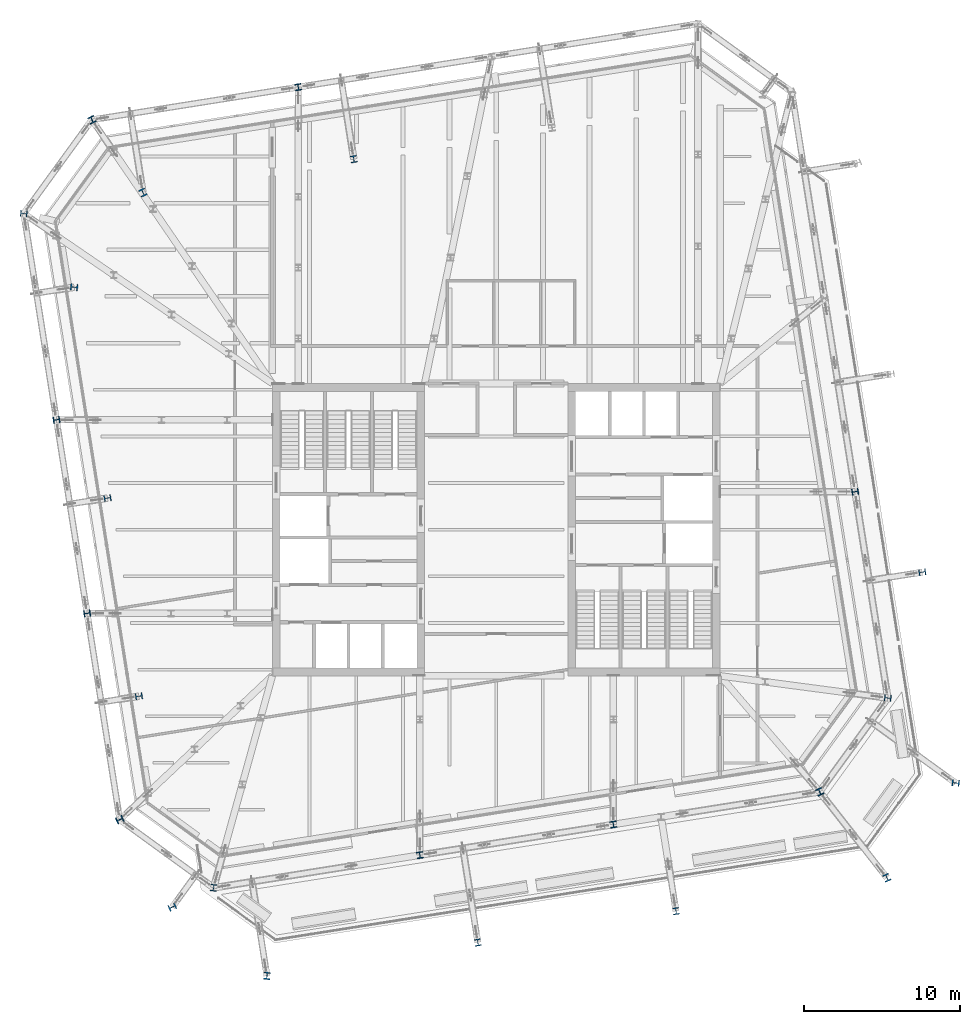
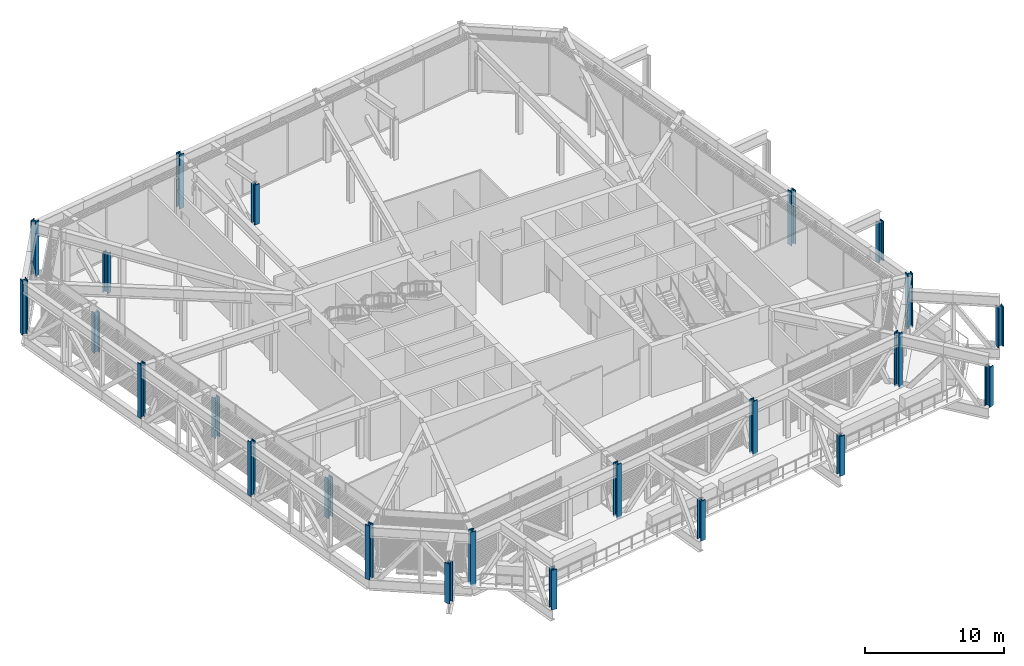
# One storey, part 1 of 35: 24 columns.
"""IFC4 building model written with IfcOpenShell, lengths in metres."""

from ifc_helpers import new_model, si_unit, direction, frame, origin, origin_2d, place, context, subcontext, project, spatial, i_section, extrude, material, material_profile, profile_set, type_object, element, save


model = new_model("IFC4")

# Units and contexts
model_context = context("Model", 3, precision=1e-05, world=origin(), true_north=direction((0.0, 1.0)))
body_context = subcontext(model_context, "Body", "Model", "MODEL_VIEW")
ifc_project = project(units=[si_unit("LENGTHUNIT", "METRE"), si_unit("AREAUNIT", "SQUARE_METRE"), si_unit("VOLUMEUNIT", "CUBIC_METRE"), si_unit("PLANEANGLEUNIT", "RADIAN"), si_unit("MASSUNIT", "GRAM", prefix="KILO")], contexts=[model_context])

# Site, building, storey
site_placement = place(None, origin())
site = spatial("IfcSite", under=ifc_project, at=site_placement, CompositionType="ELEMENT")
building_placement = place(site_placement, origin())
building = spatial("IfcBuilding", under=site, at=building_placement, Name="Millrace Tower", CompositionType="ELEMENT")
storey_placement = place(building_placement, frame((0.0, 0.0, 200.10009765625)))
storey = spatial("IfcBuildingStorey", under=building, at=storey_placement, Name="L45", CompositionType="ELEMENT", Elevation=200.10009765625)

# Columns
ifc_material_1 = material(Name="Steel ASTM A913 Grade 65", Category="steel")
ifc_material_profile_1 = material_profile(ifc_material_1, i_section(OverallWidth=0.408935546875, OverallDepth=0.424072265625, WebThickness=0.03271484375, FlangeThickness=0.052490234375, FilletRadius=0.01513671875, at=origin_2d()))
ifc_profile_set_1 = profile_set([ifc_material_profile_1], Name="Steel ASTM A913 Grade 65")
column_type_1 = type_object("IfcColumnType", Name="Exoskeleton column W14x283", PredefinedType="COLUMN", material=ifc_profile_set_1)
for number, where, z_axis, x_axis, name in (
    (1, (-4.91162109375, -20.927734375, -0.16015625), (0.0, 0.0, 1.0), (0.987688341035, 0.156434462265, 0.0), "COL-D-L45-X03"),
    (2, (7.533203125, -18.956787109375, -0.16015625), (0.0, 0.0, 1.0), (0.987688341035, 0.156434462265, 0.0), "COL-D-L45-X04"),
    (3, (23.07763671875, 2.4384765625, -0.16015625), (0.0, 0.0, 1.0), (-0.156434462265, 0.987688341035, 0.0), "COL-D-L45-X07"),
    (4, (-12.7333984375, 28.456787109375, -0.16015625), (0.0, 0.0, 1.0), (-0.987688341035, -0.156434462265, 0.0), "COL-D-L45-X12"),
    (5, (-28.27783203125, 7.0615234375, -0.16015625), (0.0, 0.0, 1.0), (0.156434462265, -0.987688341035, 0.0), "COL-D-L45-X15"),
    (6, (-26.306640625, -5.38330078125, -0.16015625), (0.0, 0.0, 1.0), (0.156434462265, -0.987688341035, 0.0), "COL-D-L45-X16"),
):
    element("IfcColumn", number, at=place(storey_placement, frame(where, z_axis=z_axis, x_axis=x_axis)), inside=storey, type_object=column_type_1, Name=name, PredefinedType="COLUMN", context=body_context, shape_type="SweptSolid", body=[
        extrude(i_section(OverallWidth=0.408935546875, OverallDepth=0.424072265625, WebThickness=0.03271484375, FlangeThickness=0.052490234375, FilletRadius=0.01513671875, at=origin_2d()), origin(), (0.0, 0.0, 1.0), 4.760009765625),
    ])
ifc_material_2 = material(Name="Steel ASTM A913 Grade 65", Category="steel")
ifc_material_profile_2 = material_profile(ifc_material_2, i_section(OverallWidth=0.41650390625, OverallDepth=0.444580078125, WebThickness=0.0390625, FlangeThickness=0.062744140625, FilletRadius=0.01513671875, at=origin_2d()))
ifc_profile_set_2 = profile_set([ifc_material_profile_2], Name="Steel ASTM A913 Grade 65")
column_type_2 = type_object("IfcColumnType", Name="Exoskeleton column W14x342", PredefinedType="COLUMN", material=ifc_profile_set_2)
for number, where, z_axis, x_axis, name in (
    (7, (-24.2060546875, -18.646484375, -0.16015625), (0.0, 0.0, 1.0), (0.418552981224, -0.908192381552, 0.0), "COL-D-L45-X01"),
    (8, (-18.174560546875, -23.0283203125, -0.16015625), (0.0, 0.0, 1.0), (0.993082267365, -0.117420655103, 0.0), "COL-D-L45-X02"),
    (9, (20.79638671875, -16.85595703125, -0.16015625), (0.0, 0.0, 1.0), (0.908192381552, 0.418552981224, 0.0), "COL-D-L45-X05"),
    (10, (25.178466796875, -10.82470703125, -0.16015625), (0.0, 0.0, 1.0), (0.117420655103, 0.993082267365, 0.0), "COL-D-L45-X06"),
    (11, (-25.996337890625, 26.35595703125, -0.16015625), (0.0, 0.0, 1.0), (-0.908192381552, -0.418552981224, 0.0), "COL-D-L45-X13"),
    (12, (-30.37841796875, 20.32470703125, -0.16015625), (0.0, 0.0, 1.0), (-0.117420655103, -0.993082267365, 0.0), "COL-D-L45-X14"),
):
    element("IfcColumn", number, at=place(storey_placement, frame(where, z_axis=z_axis, x_axis=x_axis)), inside=storey, type_object=column_type_2, Name=name, PredefinedType="COLUMN", context=body_context, shape_type="SweptSolid", body=[
        extrude(i_section(OverallWidth=0.41650390625, OverallDepth=0.444580078125, WebThickness=0.0390625, FlangeThickness=0.062744140625, FilletRadius=0.01513671875, at=origin_2d()), origin(), (0.0, 0.0, 1.0), 4.760009765625),
    ])
ifc_material_3 = material(Name="Steel ASTM A913 Grade 65", Category="steel")
ifc_material_profile_3 = material_profile(ifc_material_3, i_section(OverallWidth=0.419189453125, OverallDepth=0.45458984375, WebThickness=0.042236328125, FlangeThickness=0.067626953125, FilletRadius=0.01513671875, at=origin_2d()))
ifc_profile_set_3 = profile_set([ifc_material_profile_3], Name="Steel ASTM A913 Grade 65")
column_type_3 = type_object("IfcColumnType", Name="Exoskeleton column W14x370", PredefinedType="COLUMN", material=ifc_profile_set_3)
for number, where, z_axis, x_axis, name in (
    (13, (-1.181396484375, -26.545166015625, 0.0), (0.0, 0.0, 1.0), (0.987688339156, 0.156434474125, 0.0), "COL-C-L45-X03"),
    (14, (11.5595703125, -24.527099609375, 0.0), (0.0, 0.0, 1.0), (0.987688338239, 0.156434479917, 0.0), "COL-C-L45-X04"),
    (15, (27.39501953125, -2.7314453125, 0.0), (0.0, 0.0, 1.0), (-0.156434474125, 0.987688339156, 0.0), "COL-C-L45-X07"),
    (16, (-9.15966796875, 23.8271484375, 0.0), (0.0, 0.0, 1.0), (-0.987688338239, -0.156434479917, 0.0), "COL-C-L45-X12"),
    (17, (-24.9951171875, 2.031494140625, 0.0), (0.0, 0.0, 1.0), (0.156434474125, -0.987688339156, 0.0), "COL-C-L45-X15"),
    (18, (-22.97705078125, -10.709716796875, 0.0), (0.0, 0.0, 1.0), (0.156434479917, -0.987688338239, 0.0), "COL-C-L45-X16"),
):
    element("IfcColumn", number, at=place(storey_placement, frame(where, z_axis=z_axis, x_axis=x_axis)), inside=storey, type_object=column_type_3, Name=name, PredefinedType="COLUMN", context=body_context, shape_type="SweptSolid", body=[
        extrude(i_section(OverallWidth=0.419189453125, OverallDepth=0.45458984375, WebThickness=0.042236328125, FlangeThickness=0.067626953125, FilletRadius=0.01513671875, at=origin_2d()), origin(), (0.0, 0.0, 1.0), 3.492431640625),
    ])
ifc_material_4 = material(Name="Steel ASTM A913 Grade 65", Category="steel")
ifc_material_profile_4 = material_profile(ifc_material_4, i_section(OverallWidth=0.4267578125, OverallDepth=0.482666015625, WebThickness=0.05126953125, FlangeThickness=0.08154296875, FilletRadius=0.01513671875, at=origin_2d()))
ifc_profile_set_4 = profile_set([ifc_material_profile_4], Name="Steel ASTM A913 Grade 65")
column_type_4 = type_object("IfcColumnType", Name="Exoskeleton column W14x455", PredefinedType="COLUMN", material=ifc_profile_set_4)
for number, where, z_axis, x_axis, name in (
    (19, (-20.829345703125, -24.26904296875, 0.0), (0.0, 0.0, 1.0), (0.416401106568, -0.909181015227, 0.0), "COL-C-L45-X01"),
    (20, (-14.740966796875, -28.692626953125, 0.0), (0.0, 0.0, 1.0), (0.993357548409, -0.115068592665, 0.0), "COL-C-L45-X02"),
    (21, (25.119140625, -22.37939453125, 0.0), (0.0, 0.0, 1.0), (0.909181015227, 0.416401106568, 0.0), "COL-C-L45-X05"),
    (22, (29.542724609375, -16.291015625, 0.0), (0.0, 0.0, 1.0), (0.115068592665, 0.993357548409, 0.0), "COL-C-L45-X06"),
    (23, (-22.718994140625, 21.679443359375, 0.0), (0.0, 0.0, 1.0), (-0.909181015227, -0.416401106568, 0.0), "COL-C-L45-X13"),
    (24, (-27.142578125, 15.5908203125, 0.0), (0.0, 0.0, 1.0), (-0.115068592665, -0.993357548409, 0.0), "COL-C-L45-X14"),
):
    element("IfcColumn", number, at=place(storey_placement, frame(where, z_axis=z_axis, x_axis=x_axis)), inside=storey, type_object=column_type_4, Name=name, PredefinedType="COLUMN", context=body_context, shape_type="SweptSolid", body=[
        extrude(i_section(OverallWidth=0.4267578125, OverallDepth=0.482666015625, WebThickness=0.05126953125, FlangeThickness=0.08154296875, FilletRadius=0.01513671875, at=origin_2d()), origin(), (0.0, 0.0, 1.0), 3.492431640625),
    ])

save(model, "model.ifc")
